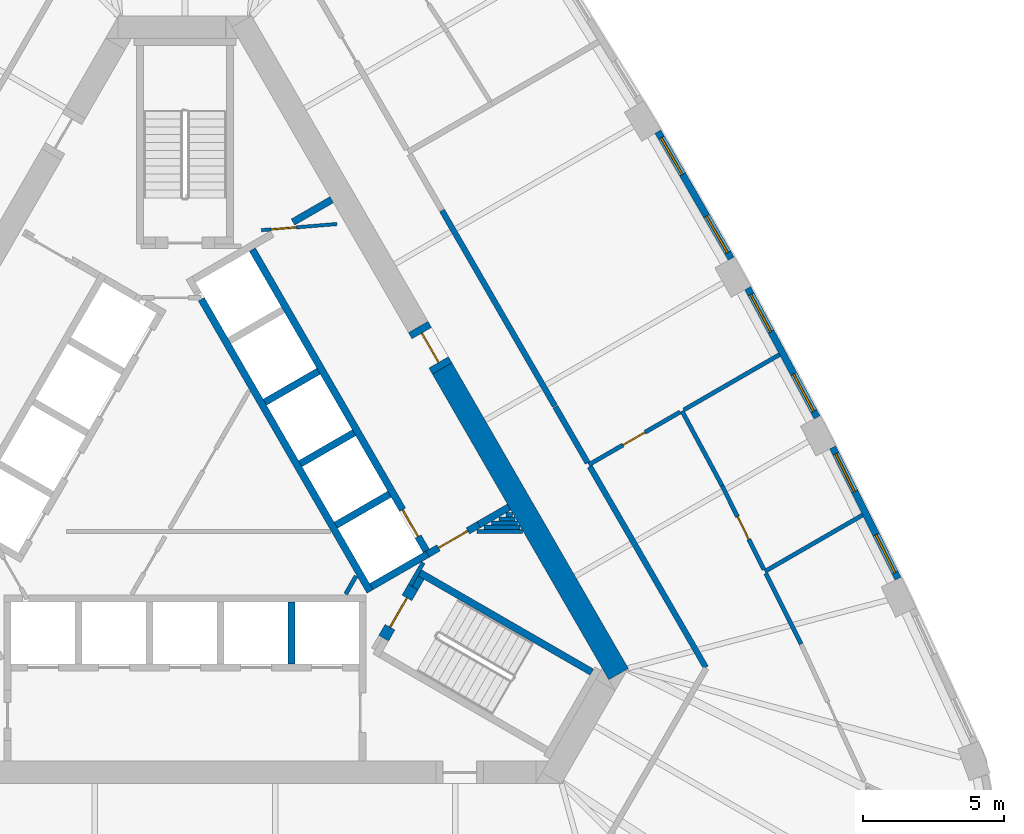
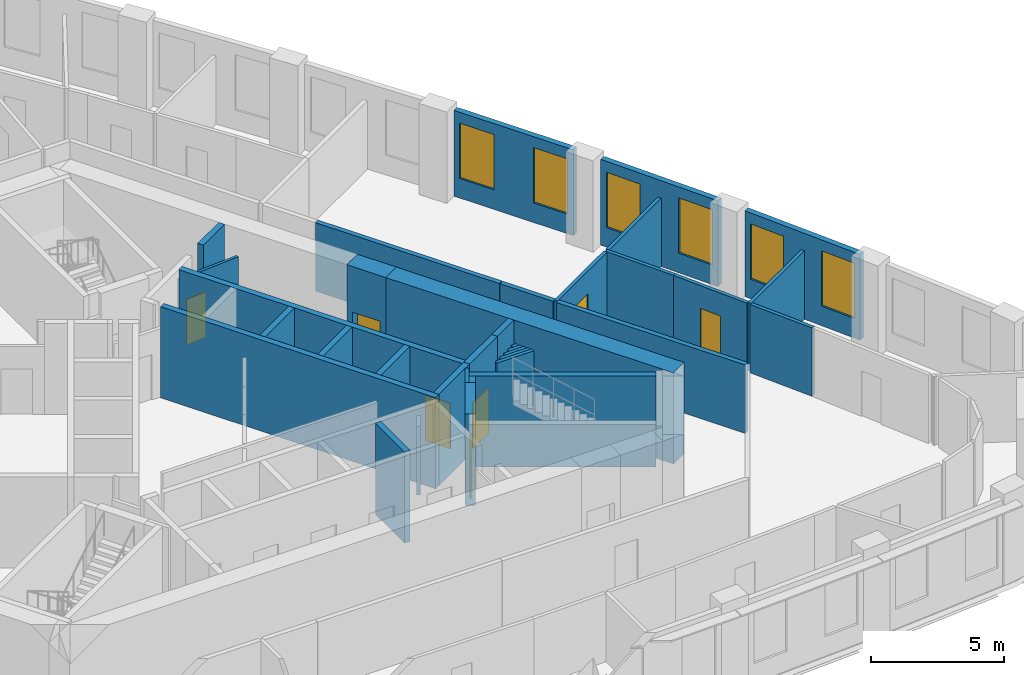
# One storey, part 8 of 11: 35 walls, 7 doors, 6 windows, 13 openings.
"""IFC4 building model written with IfcOpenShell, lengths in metres."""

from ifc_helpers import new_model, si_unit, direction, frame, frame_2d, origin, place, context, subcontext, project, spatial, rectangle, extrude, material, layer, layer_set, type_object, element, fill, save


model = new_model("IFC4")

# Units and contexts
model_context = context("Model", 3, precision=1e-05, world=origin(), true_north=direction((0.0, 1.0)))
body_context = subcontext(model_context, "Body", "Model", "MODEL_VIEW")
ifc_project = project(units=[si_unit("LENGTHUNIT", "METRE"), si_unit("AREAUNIT", "SQUARE_METRE"), si_unit("VOLUMEUNIT", "CUBIC_METRE"), si_unit("PLANEANGLEUNIT", "RADIAN"), si_unit("MASSUNIT", "GRAM", prefix="KILO")], contexts=[model_context])

# Site, building, storey
site_placement = place(None, origin())
site = spatial("IfcSite", under=ifc_project, at=site_placement, CompositionType="ELEMENT")
building_placement = place(site_placement, origin())
building = spatial("IfcBuilding", under=site, at=building_placement, Name="Mestral Congress Tower", CompositionType="ELEMENT")
storey_placement = place(building_placement, frame((0.0, 0.0, 171.0)))
storey = spatial("IfcBuildingStorey", under=building, at=storey_placement, Name="L40", CompositionType="ELEMENT", Elevation=171.0)

# Walls
ifc_material_1 = material(Name="Fire-rated board partition")
ifc_layer_1 = layer(ifc_material_1, 0.14990234375)
ifc_layer_set_1 = layer_set([ifc_layer_1], Name="Fire-rated board partition")
wall_type_1 = type_object("IfcWallType", Name="Core partition 150", PredefinedType="PARTITIONING", material=ifc_layer_set_1)
wall_1_placement = place(storey_placement, frame((10.3623046875, -1.5, 0.0), z_axis=(0.0, 0.0, 1.0), x_axis=(1.0, 0.0, 0.0)))
element("IfcWall", 1, at=wall_1_placement, inside=storey, type_object=wall_type_1, Name="L40 core wall", PredefinedType="PARTITIONING", context=body_context, shape_type="SweptSolid", body=[
    extrude(rectangle(XDim=1.60986328125, YDim=0.14990234375, at=frame_2d((0.804931640625, 0.0))), origin(), (0.0, 0.0, 1.0), 3.14990234375),
])
wall_2_placement = place(storey_placement, frame((10.6220703125, -1.35009765625, 0.0), z_axis=(0.0, 0.0, 1.0), x_axis=(1.0, 0.0, 0.0)))
element("IfcWall", 2, at=wall_2_placement, inside=storey, type_object=wall_type_1, Name="L40 core wall", PredefinedType="PARTITIONING", context=body_context, shape_type="SweptSolid", body=[
    extrude(rectangle(XDim=1.263427734375, YDim=0.14990234375, at=frame_2d((0.6318359375, 0.0))), origin(), (0.0, 0.0, 1.0), 3.14990234375),
])
wall_3_placement = place(storey_placement, frame((10.881591796875, -1.199951171875, 0.0), z_axis=(0.0, 0.0, 1.0), x_axis=(1.0, 0.0, 0.0)))
element("IfcWall", 3, at=wall_3_placement, inside=storey, type_object=wall_type_1, Name="L40 core wall", PredefinedType="PARTITIONING", context=body_context, shape_type="SweptSolid", body=[
    extrude(rectangle(XDim=0.91748046875, YDim=0.14990234375, at=frame_2d((0.458740234375, 0.0))), origin(), (0.0, 0.0, 1.0), 3.14990234375),
])
wall_4_placement = place(storey_placement, frame((11.71240234375, -1.050048828125, 0.0), z_axis=(0.0, 0.0, 1.0), x_axis=(-1.0, 0.0, 0.0)))
element("IfcWall", 4, at=wall_4_placement, inside=storey, type_object=wall_type_1, Name="L40 core wall", PredefinedType="PARTITIONING", context=body_context, shape_type="SweptSolid", body=[
    extrude(rectangle(XDim=0.57080078125, YDim=0.14990234375, at=frame_2d((0.285400390625, 0.0))), origin(), (0.0, 0.0, 1.0), 3.14990234375),
])
wall_5_placement = place(storey_placement, frame((11.4013671875, -0.89990234375, 0.0), z_axis=(0.0, 0.0, 1.0), x_axis=(1.0, 0.0, 0.0)))
element("IfcWall", 5, at=wall_5_placement, inside=storey, type_object=wall_type_1, Name="L40 core wall", PredefinedType="PARTITIONING", context=body_context, shape_type="SweptSolid", body=[
    extrude(rectangle(XDim=0.224365234375, YDim=0.14990234375, at=frame_2d((0.1123046875, 0.0))), origin(), (0.0, 0.0, 1.0), 3.14990234375),
])
wall_6_placement = place(storey_placement, frame((5.704833984375, -3.718017578125, 0.0), z_axis=(0.0, 0.0, 1.0), x_axis=(0.499962090823, 0.866047289552, 0.0)))
element("IfcWall", 6, at=wall_6_placement, inside=storey, type_object=wall_type_1, Name="L40 core wall", PredefinedType="PARTITIONING", context=body_context, shape_type="SweptSolid", body=[
    extrude(rectangle(XDim=0.73486328125, YDim=0.14990234375, at=frame_2d((0.367431640625, 0.0))), origin(), (0.0, 0.0, 1.0), 3.14990234375),
])

# Wall, opening, door
ifc_layer_2 = layer(ifc_material_1, 0.1201171875)
ifc_layer_set_2 = layer_set([ifc_layer_2], Name="Fire-rated board partition")
wall_type_2 = type_object("IfcWallType", Name="Core partition 150 door-wall 120", PredefinedType="PARTITIONING", material=ifc_layer_set_2)
wall_7_placement = place(storey_placement, frame((5.3984375, 9.418701171875, 0.0), z_axis=(0.0, 0.0, 1.0), x_axis=(-0.996653416376, -0.081743303248, 0.0)))
wall_7 = element("IfcWall", 7, at=wall_7_placement, inside=storey, type_object=wall_type_2, Name="L40 door wall", PredefinedType="PARTITIONING", context=body_context, shape_type="SweptSolid", body=[
    extrude(rectangle(XDim=2.699951171875, YDim=0.119873046875, at=frame_2d((1.35009765625, 0.0))), origin(), (0.0, 0.0, 1.0), 3.14990234375),
])
opening_1_placement = place(wall_7_placement, frame((1.449951171875, 0.0, 0.0)))
opening_1 = element("IfcOpeningElement", 8, at=opening_1_placement, cuts=wall_7, Name="Opening TD2", PredefinedType="OPENING", context=body_context, shape_type="SweptSolid", body=[
    extrude(rectangle(XDim=0.89990234375, YDim=2.10009765625, at=frame_2d((0.449951171875, 1.050048828125))), frame((0.0, 0.06982421875, 0.0), z_axis=(0.0, -1.0, 0.0), x_axis=(1.0, 0.0, 0.0)), (0.0, 0.0, 1.0), 0.139892578125),
])
ifc_material_2 = material(Name="Fire-rated steel door set", Category="steel")
door_type_1 = type_object("IfcDoorType", Name="Core door SR 900x2100", OperationType="SINGLE_SWING_LEFT", PredefinedType="DOOR", material=ifc_material_2)
door_1_placement = place(opening_1_placement, origin())
door_1 = element("IfcDoor", 9, at=door_1_placement, inside=storey, type_object=door_type_1, Name="Door TD2", OperationType="SINGLE_SWING_LEFT", OverallHeight=2.10009765625, OverallWidth=0.89990234375, PredefinedType="DOOR", context=body_context, shape_type="SweptSolid", body=[
    extrude(rectangle(XDim=0.89990234375, YDim=2.10009765625, at=frame_2d((0.449951171875, 1.050048828125))), frame((0.0, 0.02490234375, 0.0), z_axis=(0.0, -1.0, 0.0), x_axis=(1.0, 0.0, 0.0)), (0.0, 0.0, 1.0), 0.050048828125),
])
fill(opening_1, door_1)

# Wall
ifc_material_3 = material(Name="Concrete C60/75", Category="concrete")
ifc_layer_3 = layer(ifc_material_3, 0.800048828125)
ifc_layer_set_3 = layer_set([ifc_layer_3], Name="Concrete C60/75")
wall_type_3 = type_object("IfcWallType", Name="Core wall RC 800", PredefinedType="SOLIDWALL", material=ifc_layer_set_3)
wall_8_placement = place(storey_placement, frame((9.128662109375, 4.288818359375, 0.0), z_axis=(0.0, 0.0, 1.0), x_axis=(0.499995742806, -0.866027861663, 0.0)))
element("IfcWall", 10, at=wall_8_placement, inside=storey, type_object=wall_type_3, Name="L40 core wall", PredefinedType="SOLIDWALL", context=body_context, shape_type="SweptSolid", body=[
    extrude(rectangle(XDim=12.52734375, YDim=0.800048828125, at=frame_2d((6.263671875, 0.0))), origin(), (0.0, 0.0, 1.0), 4.199951171875),
])

# Wall, opening, door
wall_9_placement = place(storey_placement, frame((8.278564453125, 5.760986328125, 0.0), z_axis=(0.0, 0.0, 1.0), x_axis=(0.500062241894, -0.865989465428, 0.0)))
wall_9 = element("IfcWall", 11, at=wall_9_placement, inside=storey, type_object=wall_type_3, Name="L40 door wall", PredefinedType="SOLIDWALL", context=body_context, shape_type="SweptSolid", body=[
    extrude(rectangle(XDim=1.699951171875, YDim=0.800048828125, at=frame_2d((0.85009765625, 0.0))), origin(), (0.0, 0.0, 1.0), 4.199951171875),
])
opening_2_placement = place(wall_9_placement, frame((0.25, 0.0, 0.0)))
opening_2 = element("IfcOpeningElement", 12, at=opening_2_placement, cuts=wall_9, Name="Opening XDL", PredefinedType="OPENING", context=body_context, shape_type="SweptSolid", body=[
    extrude(rectangle(XDim=1.199951171875, YDim=2.10009765625, at=frame_2d((0.60009765625, 1.050048828125))), frame((0.0, 0.409912109375, 0.0), z_axis=(0.0, -1.0, 0.0), x_axis=(1.0, 0.0, 0.0)), (0.0, 0.0, 1.0), 0.820068359375),
])
door_type_2 = type_object("IfcDoorType", Name="Core door XD 1200x2100", OperationType="SINGLE_SWING_LEFT", PredefinedType="DOOR", material=ifc_material_2)
door_2_placement = place(opening_2_placement, origin())
door_2 = element("IfcDoor", 13, at=door_2_placement, inside=storey, type_object=door_type_2, Name="Door XDL", OperationType="SINGLE_SWING_LEFT", OverallHeight=2.10009765625, OverallWidth=1.199951171875, PredefinedType="DOOR", context=body_context, shape_type="SweptSolid", body=[
    extrude(rectangle(XDim=1.199951171875, YDim=2.10009765625, at=frame_2d((0.60009765625, 1.050048828125))), frame((0.0, 0.02490234375, 0.0), z_axis=(0.0, -1.0, 0.0), x_axis=(1.0, 0.0, 0.0)), (0.0, 0.0, 1.0), 0.050048828125),
])
fill(opening_2, door_2)

# Wall, openings, windows
ifc_material_4 = material(Name="Precast concrete C40/50 with limestone facing", Category="masonry")
ifc_layer_4 = layer(ifc_material_4, 0.239990234375)
ifc_layer_set_4 = layer_set([ifc_layer_4], Name="Precast concrete C40/50 with limestone facing")
wall_type_4 = type_object("IfcWallType", Name="Facade stone wall 240", PredefinedType="SOLIDWALL", material=ifc_layer_set_4)
wall_10_placement = place(storey_placement, frame((25.31591796875, -3.17138671875, 0.0), z_axis=(0.0, 0.0, 1.0), x_axis=(-0.446256171312, 0.8949052629, 0.0)))
wall_10 = element("IfcWall", 14, at=wall_10_placement, inside=storey, type_object=wall_type_4, Name="Facade wall F1-01", PredefinedType="SOLIDWALL", context=body_context, shape_type="SweptSolid", body=[
    extrude(rectangle(XDim=5.203369140625, YDim=0.239990234375, at=frame_2d((2.6015625, 0.0))), origin(), (0.0, 0.0, 1.0), 3.949951171875),
])
opening_3_placement = place(wall_10_placement, frame((0.248291015625, 0.0, 0.89990234375)))
opening_3 = element("IfcOpeningElement", 15, at=opening_3_placement, cuts=wall_10, Name="Opening W4", PredefinedType="OPENING", context=body_context, shape_type="SweptSolid", body=[
    extrude(rectangle(XDim=1.5, YDim=2.550048828125, at=frame_2d((0.75, 1.27490234375))), frame((0.0, 0.1298828125, 0.0), z_axis=(0.0, -1.0, 0.0), x_axis=(1.0, 0.0, 0.0)), (0.0, 0.0, 1.0), 0.260009765625),
])
opening_4_placement = place(wall_10_placement, frame((3.455078125, 0.0, 0.89990234375)))
opening_4 = element("IfcOpeningElement", 16, at=opening_4_placement, cuts=wall_10, Name="Opening W4", PredefinedType="OPENING", context=body_context, shape_type="SweptSolid", body=[
    extrude(rectangle(XDim=1.5, YDim=2.550048828125, at=frame_2d((0.75, 1.27490234375))), frame((0.0, 0.1298828125, 0.0), z_axis=(0.0, -1.0, 0.0), x_axis=(1.0, 0.0, 0.0)), (0.0, 0.0, 1.0), 0.260009765625),
])
ifc_material_5 = material(Name="Clear low-emissivity double glazing", Category="glass")
window_type = type_object("IfcWindowType", Name="Facade punched window 1500 x 2550 sill 900", PartitioningType="SINGLE_PANEL", PredefinedType="WINDOW", material=ifc_material_5)
window_1_placement = place(opening_3_placement, origin())
window_1 = element("IfcWindow", 17, at=window_1_placement, inside=storey, type_object=window_type, Name="Window F1-01a", OverallHeight=2.550048828125, OverallWidth=1.5, PartitioningType="SINGLE_PANEL", PredefinedType="WINDOW", context=body_context, shape_type="SweptSolid", body=[
    extrude(rectangle(XDim=1.5, YDim=2.550048828125, at=frame_2d((0.75, 1.27490234375))), frame((0.0, 0.0400390625, 0.0), z_axis=(0.0, -1.0, 0.0), x_axis=(1.0, 0.0, 0.0)), (0.0, 0.0, 1.0), 0.06005859375),
])
fill(opening_3, window_1)
window_2_placement = place(opening_4_placement, origin())
window_2 = element("IfcWindow", 18, at=window_2_placement, inside=storey, type_object=window_type, Name="Window F1-01b", OverallHeight=2.550048828125, OverallWidth=1.5, PartitioningType="SINGLE_PANEL", PredefinedType="WINDOW", context=body_context, shape_type="SweptSolid", body=[
    extrude(rectangle(XDim=1.5, YDim=2.550048828125, at=frame_2d((0.75, 1.27490234375))), frame((0.0, 0.0400390625, 0.0), z_axis=(0.0, -1.0, 0.0), x_axis=(1.0, 0.0, 0.0)), (0.0, 0.0, 1.0), 0.06005859375),
])
fill(opening_4, window_2)

wall_11_placement = place(storey_placement, frame((22.43994140625, 2.554931640625, 0.0), z_axis=(0.0, 0.0, 1.0), x_axis=(-0.473349833294, 0.880874528704, 0.0)))
wall_11 = element("IfcWall", 19, at=wall_11_placement, inside=storey, type_object=wall_type_4, Name="Facade wall F1-02", PredefinedType="SOLIDWALL", context=body_context, shape_type="SweptSolid", body=[
    extrude(rectangle(XDim=5.20361328125, YDim=0.239990234375, at=frame_2d((2.601806640625, 0.0))), origin(), (0.0, 0.0, 1.0), 3.949951171875),
])
opening_5_placement = place(wall_11_placement, frame((0.248291015625, 0.0, 0.89990234375)))
opening_5 = element("IfcOpeningElement", 20, at=opening_5_placement, cuts=wall_11, Name="Opening W4", PredefinedType="OPENING", context=body_context, shape_type="SweptSolid", body=[
    extrude(rectangle(XDim=1.5, YDim=2.550048828125, at=frame_2d((0.75, 1.27490234375))), frame((0.0, 0.1298828125, 0.0), z_axis=(0.0, -1.0, 0.0), x_axis=(1.0, 0.0, 0.0)), (0.0, 0.0, 1.0), 0.260009765625),
])
opening_6_placement = place(wall_11_placement, frame((3.455078125, 0.0, 0.89990234375)))
opening_6 = element("IfcOpeningElement", 21, at=opening_6_placement, cuts=wall_11, Name="Opening W4", PredefinedType="OPENING", context=body_context, shape_type="SweptSolid", body=[
    extrude(rectangle(XDim=1.5, YDim=2.550048828125, at=frame_2d((0.75, 1.27490234375))), frame((0.0, 0.1298828125, 0.0), z_axis=(0.0, -1.0, 0.0), x_axis=(1.0, 0.0, 0.0)), (0.0, 0.0, 1.0), 0.260009765625),
])
window_3_placement = place(opening_5_placement, origin())
window_3 = element("IfcWindow", 22, at=window_3_placement, inside=storey, type_object=window_type, Name="Window F1-02a", OverallHeight=2.550048828125, OverallWidth=1.5, PartitioningType="SINGLE_PANEL", PredefinedType="WINDOW", context=body_context, shape_type="SweptSolid", body=[
    extrude(rectangle(XDim=1.5, YDim=2.550048828125, at=frame_2d((0.75, 1.27490234375))), frame((0.0, 0.0400390625, 0.0), z_axis=(0.0, -1.0, 0.0), x_axis=(1.0, 0.0, 0.0)), (0.0, 0.0, 1.0), 0.06005859375),
])
fill(opening_5, window_3)
window_4_placement = place(opening_6_placement, origin())
window_4 = element("IfcWindow", 23, at=window_4_placement, inside=storey, type_object=window_type, Name="Window F1-02b", OverallHeight=2.550048828125, OverallWidth=1.5, PartitioningType="SINGLE_PANEL", PredefinedType="WINDOW", context=body_context, shape_type="SweptSolid", body=[
    extrude(rectangle(XDim=1.5, YDim=2.550048828125, at=frame_2d((0.75, 1.27490234375))), frame((0.0, 0.0400390625, 0.0), z_axis=(0.0, -1.0, 0.0), x_axis=(1.0, 0.0, 0.0)), (0.0, 0.0, 1.0), 0.06005859375),
])
fill(opening_6, window_4)

wall_12_placement = place(storey_placement, frame((19.390625, 8.19091796875, 0.0), z_axis=(0.0, 0.0, 1.0), x_axis=(-0.500009456303, 0.866019944116, 0.0)))
wall_12 = element("IfcWall", 24, at=wall_12_placement, inside=storey, type_object=wall_type_4, Name="Facade wall F1-03", PredefinedType="SOLIDWALL", context=body_context, shape_type="SweptSolid", body=[
    extrude(rectangle(XDim=5.20361328125, YDim=0.239990234375, at=frame_2d((2.601806640625, 0.0))), origin(), (0.0, 0.0, 1.0), 3.949951171875),
])
opening_7_placement = place(wall_12_placement, frame((0.248291015625, 0.0, 0.89990234375)))
opening_7 = element("IfcOpeningElement", 25, at=opening_7_placement, cuts=wall_12, Name="Opening W4", PredefinedType="OPENING", context=body_context, shape_type="SweptSolid", body=[
    extrude(rectangle(XDim=1.5, YDim=2.550048828125, at=frame_2d((0.75, 1.27490234375))), frame((0.0, 0.1298828125, 0.0), z_axis=(0.0, -1.0, 0.0), x_axis=(1.0, 0.0, 0.0)), (0.0, 0.0, 1.0), 0.260009765625),
])
opening_8_placement = place(wall_12_placement, frame((3.455078125, 0.0, 0.89990234375)))
opening_8 = element("IfcOpeningElement", 26, at=opening_8_placement, cuts=wall_12, Name="Opening W4", PredefinedType="OPENING", context=body_context, shape_type="SweptSolid", body=[
    extrude(rectangle(XDim=1.5, YDim=2.550048828125, at=frame_2d((0.75, 1.27490234375))), frame((0.0, 0.1298828125, 0.0), z_axis=(0.0, -1.0, 0.0), x_axis=(1.0, 0.0, 0.0)), (0.0, 0.0, 1.0), 0.260009765625),
])
window_5_placement = place(opening_7_placement, origin())
window_5 = element("IfcWindow", 27, at=window_5_placement, inside=storey, type_object=window_type, Name="Window F1-03a", OverallHeight=2.550048828125, OverallWidth=1.5, PartitioningType="SINGLE_PANEL", PredefinedType="WINDOW", context=body_context, shape_type="SweptSolid", body=[
    extrude(rectangle(XDim=1.5, YDim=2.550048828125, at=frame_2d((0.75, 1.27490234375))), frame((0.0, 0.0400390625, 0.0), z_axis=(0.0, -1.0, 0.0), x_axis=(1.0, 0.0, 0.0)), (0.0, 0.0, 1.0), 0.06005859375),
])
fill(opening_7, window_5)
window_6_placement = place(opening_8_placement, origin())
window_6 = element("IfcWindow", 28, at=window_6_placement, inside=storey, type_object=window_type, Name="Window F1-03b", OverallHeight=2.550048828125, OverallWidth=1.5, PartitioningType="SINGLE_PANEL", PredefinedType="WINDOW", context=body_context, shape_type="SweptSolid", body=[
    extrude(rectangle(XDim=1.5, YDim=2.550048828125, at=frame_2d((0.75, 1.27490234375))), frame((0.0, 0.0400390625, 0.0), z_axis=(0.0, -1.0, 0.0), x_axis=(1.0, 0.0, 0.0)), (0.0, 0.0, 1.0), 0.06005859375),
])
fill(opening_8, window_6)

# Walls
ifc_material_6 = material(Name="Plasterboard partition on steel studs", Category="steel")
ifc_layer_5 = layer(ifc_material_6, 0.14990234375)
ifc_layer_set_5 = layer_set([ifc_layer_5], Name="Plasterboard partition on steel studs")
wall_type_5 = type_object("IfcWallType", Name="Office partition 150", PredefinedType="PARTITIONING", material=ifc_layer_set_5)
wall_13_placement = place(storey_placement, frame((20.584716796875, -2.916259765625, 0.0), z_axis=(0.0, 0.0, 1.0), x_axis=(0.866041532296, 0.499972063559, 0.0)))
element("IfcWall", 29, at=wall_13_placement, inside=storey, type_object=wall_type_5, Name="Partition", PredefinedType="PARTITIONING", context=body_context, shape_type="SweptSolid", body=[
    extrude(rectangle(XDim=4.007568359375, YDim=0.14990234375, at=frame_2d((2.00390625, 0.0))), origin(), (0.0, 0.0, 1.0), 3.14990234375),
])
wall_14_placement = place(storey_placement, frame((21.869384765625, -5.492919921875, 0.0), z_axis=(0.0, 0.0, 1.0), x_axis=(-0.446168399468, 0.894949026099, 0.0)))
element("IfcWall", 30, at=wall_14_placement, inside=storey, type_object=wall_type_5, Name="Partition", PredefinedType="PARTITIONING", context=body_context, shape_type="SweptSolid", body=[
    extrude(rectangle(XDim=2.8037109375, YDim=0.14990234375, at=frame_2d((1.40185546875, 0.0))), origin(), (0.0, 0.0, 1.0), 3.14990234375),
])

# Wall, opening, door
wall_15_placement = place(storey_placement, frame((19.066162109375, 0.12939453125, 0.0), z_axis=(0.0, 0.0, 1.0), x_axis=(0.446215695511, -0.894925445543, 0.0)))
wall_15 = element("IfcWall", 31, at=wall_15_placement, inside=storey, type_object=wall_type_5, Name="Partition", PredefinedType="PARTITIONING", context=body_context, shape_type="SweptSolid", body=[
    extrude(rectangle(XDim=3.328125, YDim=0.14990234375, at=frame_2d((1.6640625, 0.0))), origin(), (0.0, 0.0, 1.0), 3.14990234375),
])
opening_9_placement = place(wall_15_placement, frame((1.228271484375, 0.0, 0.0)))
opening_9 = element("IfcOpeningElement", 32, at=opening_9_placement, cuts=wall_15, Name="Opening O03-006", PredefinedType="OPENING", context=body_context, shape_type="SweptSolid", body=[
    extrude(rectangle(XDim=0.89990234375, YDim=2.10009765625, at=frame_2d((0.449951171875, 1.050048828125))), frame((0.0, 0.0849609375, 0.0), z_axis=(0.0, -1.0, 0.0), x_axis=(1.0, 0.0, 0.0)), (0.0, 0.0, 1.0), 0.169921875),
])
ifc_material_7 = material(Name="Timber door set", Category="wood")
door_type_3 = type_object("IfcDoorType", Name="Office door 900x2100", OperationType="SINGLE_SWING_LEFT", PredefinedType="DOOR", material=ifc_material_7)
door_3_placement = place(opening_9_placement, origin())
door_3 = element("IfcDoor", 33, at=door_3_placement, inside=storey, type_object=door_type_3, Name="Door O03-006", OperationType="SINGLE_SWING_RIGHT", OverallHeight=2.10009765625, OverallWidth=0.89990234375, PredefinedType="DOOR", context=body_context, shape_type="SweptSolid", body=[
    extrude(rectangle(XDim=0.89990234375, YDim=2.10009765625, at=frame_2d((0.449951171875, 1.050048828125))), frame((0.0, 0.02490234375, 0.0), z_axis=(0.0, -1.0, 0.0), x_axis=(1.0, 0.0, 0.0)), (0.0, 0.0, 1.0), 0.050048828125),
])
fill(opening_9, door_3)

# Walls
wall_16_placement = place(storey_placement, frame((19.066162109375, 0.12939453125, 0.0), z_axis=(0.0, 0.0, 1.0), x_axis=(-0.473359743891, 0.88086920304, 0.0)))
element("IfcWall", 34, at=wall_16_placement, inside=storey, type_object=wall_type_5, Name="Partition", PredefinedType="PARTITIONING", context=body_context, shape_type="SweptSolid", body=[
    extrude(rectangle(XDim=3.010498046875, YDim=0.14990234375, at=frame_2d((1.50537109375, 0.0))), origin(), (0.0, 0.0, 1.0), 3.14990234375),
])
wall_17_placement = place(storey_placement, frame((17.706298828125, 2.818603515625, 0.0), z_axis=(0.0, 0.0, 1.0), x_axis=(0.866023031919, 0.500004108169, 0.0)))
element("IfcWall", 35, at=wall_17_placement, inside=storey, type_object=wall_type_5, Name="Partition", PredefinedType="PARTITIONING", context=body_context, shape_type="SweptSolid", body=[
    extrude(rectangle(XDim=3.9267578125, YDim=0.14990234375, at=frame_2d((1.96337890625, 0.0))), origin(), (0.0, 0.0, 1.0), 3.14990234375),
])

# Wall, opening, door
wall_18_placement = place(storey_placement, frame((14.33447265625, 0.8720703125, 0.0), z_axis=(0.0, 0.0, 1.0), x_axis=(0.866027010039, 0.499997217876, 0.0)))
wall_18 = element("IfcWall", 36, at=wall_18_placement, inside=storey, type_object=wall_type_5, Name="Partition", PredefinedType="PARTITIONING", context=body_context, shape_type="SweptSolid", body=[
    extrude(rectangle(XDim=3.7431640625, YDim=0.14990234375, at=frame_2d((1.87158203125, 0.0))), origin(), (0.0, 0.0, 1.0), 3.14990234375),
])
opening_10_placement = place(wall_18_placement, frame((1.39990234375, 0.0, 0.0)))
opening_10 = element("IfcOpeningElement", 37, at=opening_10_placement, cuts=wall_18, Name="Opening O03-008", PredefinedType="OPENING", context=body_context, shape_type="SweptSolid", body=[
    extrude(rectangle(XDim=0.89990234375, YDim=2.10009765625, at=frame_2d((0.449951171875, 1.050048828125))), frame((0.0, 0.0849609375, 0.0), z_axis=(0.0, -1.0, 0.0), x_axis=(1.0, 0.0, 0.0)), (0.0, 0.0, 1.0), 0.169921875),
])
door_4_placement = place(opening_10_placement, origin())
door_4 = element("IfcDoor", 38, at=door_4_placement, inside=storey, type_object=door_type_3, Name="Door O03-008", OperationType="SINGLE_SWING_LEFT", OverallHeight=2.10009765625, OverallWidth=0.89990234375, PredefinedType="DOOR", context=body_context, shape_type="SweptSolid", body=[
    extrude(rectangle(XDim=0.89990234375, YDim=2.10009765625, at=frame_2d((0.449951171875, 1.050048828125))), frame((0.0, 0.02490234375, 0.0), z_axis=(0.0, -1.0, 0.0), x_axis=(1.0, 0.0, 0.0)), (0.0, 0.0, 1.0), 0.050048828125),
])
fill(opening_10, door_4)

# Walls
ifc_material_8 = material(Name="Dense masonry wall, plastered", Category="masonry")
ifc_layer_6 = layer(ifc_material_8, 0.199951171875)
ifc_layer_set_6 = layer_set([ifc_layer_6], Name="Dense masonry wall, plastered")
wall_type_6 = type_object("IfcWallType", Name="Office tenancy wall 200", PredefinedType="PARTITIONING", material=ifc_layer_set_6)
wall_19_placement = place(storey_placement, frame((18.489013671875, -6.323974609375, 0.0), z_axis=(0.0, 0.0, 1.0), x_axis=(-0.500003913404, 0.866023144368, 0.0)))
element("IfcWall", 39, at=wall_19_placement, inside=storey, type_object=wall_type_6, Name="Tenancy wall", PredefinedType="PARTITIONING", context=body_context, shape_type="SweptSolid", body=[
    extrude(rectangle(XDim=8.234375, YDim=0.199951171875, at=frame_2d((4.1171875, 0.0))), origin(), (0.0, 0.0, 1.0), 3.14990234375),
])
wall_20_placement = place(storey_placement, frame((13.13037109375, 2.95751953125, 0.0), z_axis=(0.0, 0.0, 1.0), x_axis=(-0.499995158272, 0.866028199139, 0.0)))
element("IfcWall", 40, at=wall_20_placement, inside=storey, type_object=wall_type_6, Name="Tenancy wall", PredefinedType="PARTITIONING", context=body_context, shape_type="SweptSolid", body=[
    extrude(rectangle(XDim=8.0078125, YDim=0.199951171875, at=frame_2d((4.00390625, 0.0))), origin(), (0.0, 0.0, 1.0), 3.14990234375),
])
wall_21_placement = place(storey_placement, frame((14.296875, 0.93701171875, 0.0), z_axis=(0.0, 0.0, 1.0), x_axis=(-0.499970234539, 0.866042588199, 0.0)))
element("IfcWall", 41, at=wall_21_placement, inside=storey, type_object=wall_type_6, Name="Tenancy wall", PredefinedType="PARTITIONING", context=body_context, shape_type="SweptSolid", body=[
    extrude(rectangle(XDim=2.302978515625, YDim=0.199951171875, at=frame_2d((1.1513671875, 0.0))), origin(), (0.0, 0.0, 1.0), 3.14990234375),
])
ifc_layer_7 = layer(ifc_material_3, 0.25)
ifc_layer_set_7 = layer_set([ifc_layer_7], Name="Concrete C60/75")
wall_type_7 = type_object("IfcWallType", Name="Shaft wall RC 250", PredefinedType="SOLIDWALL", material=ifc_layer_set_7)
wall_22_placement = place(storey_placement, frame((3.780029296875, -4.0, 0.0), z_axis=(0.0, 0.0, 1.0), x_axis=(0.0, -1.0, 0.0)))
element("IfcWall", 42, at=wall_22_placement, inside=storey, type_object=wall_type_7, Name="L40 core wall", PredefinedType="SOLIDWALL", context=body_context, shape_type="SweptSolid", body=[
    extrude(rectangle(XDim=2.199951171875, YDim=0.25, at=frame_2d((1.10009765625, 0.0))), origin(), (0.0, 0.0, 1.0), 4.199951171875),
])
wall_23_placement = place(storey_placement, frame((11.507080078125, -0.631103515625, 0.0), z_axis=(0.0, 0.0, 1.0), x_axis=(-0.866025525965, -0.499999788377, 0.0)))
element("IfcWall", 43, at=wall_23_placement, inside=storey, type_object=wall_type_7, Name="L40 core wall", PredefinedType="SOLIDWALL", context=body_context, shape_type="SweptSolid", body=[
    extrude(rectangle(XDim=1.24462890625, YDim=0.25, at=frame_2d((0.622314453125, 0.0))), origin(), (0.0, 0.0, 1.0), 4.199951171875),
])
wall_24_placement = place(storey_placement, frame((6.568359375, -3.626708984375, 0.0), z_axis=(0.0, 0.0, 1.0), x_axis=(-0.499999455981, 0.866025717874, 0.0)))
element("IfcWall", 44, at=wall_24_placement, inside=storey, type_object=wall_type_7, Name="L40 core wall", PredefinedType="SOLIDWALL", context=body_context, shape_type="SweptSolid", body=[
    extrude(rectangle(XDim=11.97802734375, YDim=0.25, at=frame_2d((5.989013671875, 0.0))), origin(), (0.0, 0.0, 1.0), 4.199951171875),
])
for number, where, z_axis, x_axis, name in (
    (45, (2.833984375, 3.091064453125, 0.0), (0.0, 0.0, 1.0), (0.866008176907, 0.50002983664, 0.0), "L40 core wall"),
    (46, (4.093994140625, 0.90869140625, 0.0), (0.0, 0.0, 1.0), (0.866008176907, 0.50002983664, 0.0), "L40 core wall"),
    (47, (5.35400390625, -1.273681640625, 0.0), (0.0, 0.0, 1.0), (0.866008176907, 0.50002983664, 0.0), "L40 core wall"),
):
    element("IfcWall", number, at=place(storey_placement, frame(where, z_axis=z_axis, x_axis=x_axis)), inside=storey, type_object=wall_type_7, Name=name, PredefinedType="SOLIDWALL", context=body_context, shape_type="SweptSolid", body=[
        extrude(rectangle(XDim=2.199951171875, YDim=0.25, at=frame_2d((1.10009765625, 0.0))), origin(), (0.0, 0.0, 1.0), 4.199951171875),
    ])
wall_25_placement = place(storey_placement, frame((6.614013671875, -3.4560546875, 0.0), z_axis=(0.0, 0.0, 1.0), x_axis=(0.866025089694, 0.500000544019, 0.0)))
element("IfcWall", 48, at=wall_25_placement, inside=storey, type_object=wall_type_7, Name="L40 core wall", PredefinedType="SOLIDWALL", context=body_context, shape_type="SweptSolid", body=[
    extrude(rectangle(XDim=2.30517578125, YDim=0.25, at=frame_2d((1.152587890625, 0.0))), origin(), (0.0, 0.0, 1.0), 4.199951171875),
])
wall_26_placement = place(storey_placement, frame((3.82958984375, 9.485595703125, 0.0), z_axis=(0.0, 0.0, 1.0), x_axis=(0.865986202621, 0.500067892261, 0.0)))
element("IfcWall", 49, at=wall_26_placement, inside=storey, type_object=wall_type_7, Name="L40 core wall", PredefinedType="SOLIDWALL", context=body_context, shape_type="SweptSolid", body=[
    extrude(rectangle(XDim=1.590576171875, YDim=0.25, at=frame_2d((0.79541015625, 0.0))), origin(), (0.0, 0.0, 1.0), 4.199951171875),
])

# Wall, opening, door
wall_27_placement = place(storey_placement, frame((8.565185546875, -2.185302734375, 0.0), z_axis=(0.0, 0.0, 1.0), x_axis=(-0.499997954832, 0.866026584559, 0.0)))
wall_27 = element("IfcWall", 50, at=wall_27_placement, inside=storey, type_object=wall_type_7, Name="L40 door wall", PredefinedType="SOLIDWALL", context=body_context, shape_type="SweptSolid", body=[
    extrude(rectangle(XDim=12.35009765625, YDim=0.25, at=frame_2d((6.175048828125, 0.0))), origin(), (0.0, 0.0, 1.0), 4.199951171875),
])
opening_11_placement = place(wall_27_placement, frame((0.5849609375, 0.0, 0.0)))
opening_11 = element("IfcOpeningElement", 51, at=opening_11_placement, cuts=wall_27, Name="Opening LD-NEB1", PredefinedType="OPENING", context=body_context, shape_type="SweptSolid", body=[
    extrude(rectangle(XDim=1.10009765625, YDim=2.10009765625, at=frame_2d((0.550048828125, 1.050048828125))), frame((0.0, 0.135009765625, 0.0), z_axis=(0.0, -1.0, 0.0), x_axis=(1.0, 0.0, 0.0)), (0.0, 0.0, 1.0), 0.27001953125),
])
door_type_4 = type_object("IfcDoorType", Name="Core door LD 1100x2100", OperationType="DOUBLE_DOOR_SLIDING", PredefinedType="DOOR", material=ifc_material_2)
door_5_placement = place(opening_11_placement, origin())
door_5 = element("IfcDoor", 52, at=door_5_placement, inside=storey, type_object=door_type_4, Name="Door LD-NEB1", OperationType="DOUBLE_DOOR_SLIDING", OverallHeight=2.10009765625, OverallWidth=1.10009765625, PredefinedType="DOOR", context=body_context, shape_type="SweptSolid", body=[
    extrude(rectangle(XDim=1.10009765625, YDim=2.10009765625, at=frame_2d((0.550048828125, 1.050048828125))), frame((0.0, 0.02490234375, 0.0), z_axis=(0.0, -1.0, 0.0), x_axis=(1.0, 0.0, 0.0)), (0.0, 0.0, 1.0), 0.050048828125),
])
fill(opening_11, door_5)

wall_28_placement = place(storey_placement, frame((10.42919921875, -1.25341796875, 0.0), z_axis=(0.0, 0.0, 1.0), x_axis=(-0.866009402589, -0.500027713859, 0.0)))
wall_28 = element("IfcWall", 53, at=wall_28_placement, inside=storey, type_object=wall_type_7, Name="L40 door wall", PredefinedType="SOLIDWALL", context=body_context, shape_type="SweptSolid", body=[
    extrude(rectangle(XDim=2.10009765625, YDim=0.25, at=frame_2d((1.050048828125, 0.0))), origin(), (0.0, 0.0, 1.0), 4.199951171875),
])
opening_12_placement = place(wall_28_placement, frame((0.449951171875, 0.0, 0.0)))
opening_12 = element("IfcOpeningElement", 54, at=opening_12_placement, cuts=wall_28, Name="Opening LB1-PX10", PredefinedType="OPENING", context=body_context, shape_type="SweptSolid", body=[
    extrude(rectangle(XDim=1.199951171875, YDim=2.10009765625, at=frame_2d((0.60009765625, 1.050048828125))), frame((0.0, 0.135009765625, 0.0), z_axis=(0.0, -1.0, 0.0), x_axis=(1.0, 0.0, 0.0)), (0.0, 0.0, 1.0), 0.27001953125),
])
door_type_5 = type_object("IfcDoorType", Name="Core door LB 1200x2100", OperationType="SINGLE_SWING_LEFT", PredefinedType="DOOR", material=ifc_material_2)
door_6_placement = place(opening_12_placement, origin())
door_6 = element("IfcDoor", 55, at=door_6_placement, inside=storey, type_object=door_type_5, Name="Door LB1-PX10", OperationType="SINGLE_SWING_LEFT", OverallHeight=2.10009765625, OverallWidth=1.199951171875, PredefinedType="DOOR", context=body_context, shape_type="SweptSolid", body=[
    extrude(rectangle(XDim=1.199951171875, YDim=2.10009765625, at=frame_2d((0.60009765625, 1.050048828125))), frame((0.0, 0.02490234375, 0.0), z_axis=(0.0, -1.0, 0.0), x_axis=(1.0, 0.0, 0.0)), (0.0, 0.0, 1.0), 0.050048828125),
])
fill(opening_12, door_6)

# Walls
ifc_layer_8 = layer(ifc_material_3, 0.14990234375)
ifc_layer_set_8 = layer_set([ifc_layer_8], Name="Concrete C60/75")
wall_type_8 = type_object("IfcWallType", Name="Shaft wall RC 250 door-wall 150", PredefinedType="SOLIDWALL", material=ifc_layer_set_8)
wall_29_placement = place(storey_placement, frame((8.459228515625, -2.59912109375, 0.0), z_axis=(0.0, 0.0, 1.0), x_axis=(-0.500041054325, -0.866001699761, 0.0)))
element("IfcWall", 56, at=wall_29_placement, inside=storey, type_object=wall_type_8, Name="L40 core wall", PredefinedType="PARTITIONING", context=body_context, shape_type="SweptSolid", body=[
    extrude(rectangle(XDim=0.9287109375, YDim=0.14990234375, at=frame_2d((0.46435546875, 0.0))), origin(), (0.0, 0.0, 1.0), 4.199951171875),
])
ifc_layer_9 = layer(ifc_material_3, 0.25)
ifc_layer_set_9 = layer_set([ifc_layer_9], Name="Concrete C60/75")
wall_type_9 = type_object("IfcWallType", Name="Stair wall RC 250", PredefinedType="SOLIDWALL", material=ifc_layer_set_9)
wall_30_placement = place(storey_placement, frame((8.33447265625, -2.96435546875, 0.0), z_axis=(0.0, 0.0, 1.0), x_axis=(0.866016039709, -0.500016218704, 0.0)))
element("IfcWall", 57, at=wall_30_placement, inside=storey, type_object=wall_type_9, Name="L40 core wall", PredefinedType="SOLIDWALL", context=body_context, shape_type="SweptSolid", body=[
    extrude(rectangle(XDim=7.050048828125, YDim=0.25, at=frame_2d((3.52490234375, 0.0))), origin(), (0.0, 0.0, 1.0), 4.199951171875),
])
wall_31_placement = place(storey_placement, frame((8.167724609375, -3.503173828125, 0.0), z_axis=(0.0, 0.0, 1.0), x_axis=(0.49972245349, 0.866185586049, 0.0)))
element("IfcWall", 58, at=wall_31_placement, inside=storey, type_object=wall_type_9, Name="L40 core wall", PredefinedType="SOLIDWALL", context=body_context, shape_type="SweptSolid", body=[
    extrude(rectangle(XDim=0.425048828125, YDim=0.25, at=frame_2d((0.21240234375, 0.0))), origin(), (0.0, 0.0, 1.0), 4.199951171875),
])

# Wall, opening, door
ifc_layer_10 = layer(ifc_material_3, 0.39990234375)
ifc_layer_set_10 = layer_set([ifc_layer_10], Name="Concrete C60/75")
wall_type_10 = type_object("IfcWallType", Name="Stair wall RC 250 door-wall 400", PredefinedType="SOLIDWALL", material=ifc_layer_set_10)
wall_32_placement = place(storey_placement, frame((7.052734375, -5.2841796875, 0.0), z_axis=(0.0, 0.0, 1.0), x_axis=(0.500078061341, 0.865980330357, 0.0)))
wall_32 = element("IfcWall", 59, at=wall_32_placement, inside=storey, type_object=wall_type_10, Name="L40 door wall", PredefinedType="SOLIDWALL", context=body_context, shape_type="SweptSolid", body=[
    extrude(rectangle(XDim=2.099853515625, YDim=0.39990234375, at=frame_2d((1.0498046875, 0.0))), origin(), (0.0, 0.0, 1.0), 4.199951171875),
])
opening_13_placement = place(wall_32_placement, frame((0.449951171875, 0.0, 0.0)))
opening_13 = element("IfcOpeningElement", 60, at=opening_13_placement, cuts=wall_32, Name="Opening ST-D1", PredefinedType="OPENING", context=body_context, shape_type="SweptSolid", body=[
    extrude(rectangle(XDim=1.199951171875, YDim=2.10009765625, at=frame_2d((0.60009765625, 1.050048828125))), frame((0.0, 0.2099609375, 0.0), z_axis=(0.0, -1.0, 0.0), x_axis=(1.0, 0.0, 0.0)), (0.0, 0.0, 1.0), 0.419921875),
])
door_type_6 = type_object("IfcDoorType", Name="Core door ST 1200x2100", OperationType="SINGLE_SWING_LEFT", PredefinedType="DOOR", material=ifc_material_2)
door_7_placement = place(opening_13_placement, origin())
door_7 = element("IfcDoor", 61, at=door_7_placement, inside=storey, type_object=door_type_6, Name="Door ST-D1", OperationType="SINGLE_SWING_LEFT", OverallHeight=2.10009765625, OverallWidth=1.199951171875, PredefinedType="DOOR", context=body_context, shape_type="SweptSolid", body=[
    extrude(rectangle(XDim=1.199951171875, YDim=2.10009765625, at=frame_2d((0.60009765625, 1.050048828125))), frame((0.0, 0.02490234375, 0.0), z_axis=(0.0, -1.0, 0.0), x_axis=(1.0, 0.0, 0.0)), (0.0, 0.0, 1.0), 0.050048828125),
])
fill(opening_13, door_7)

save(model, "model.ifc")
